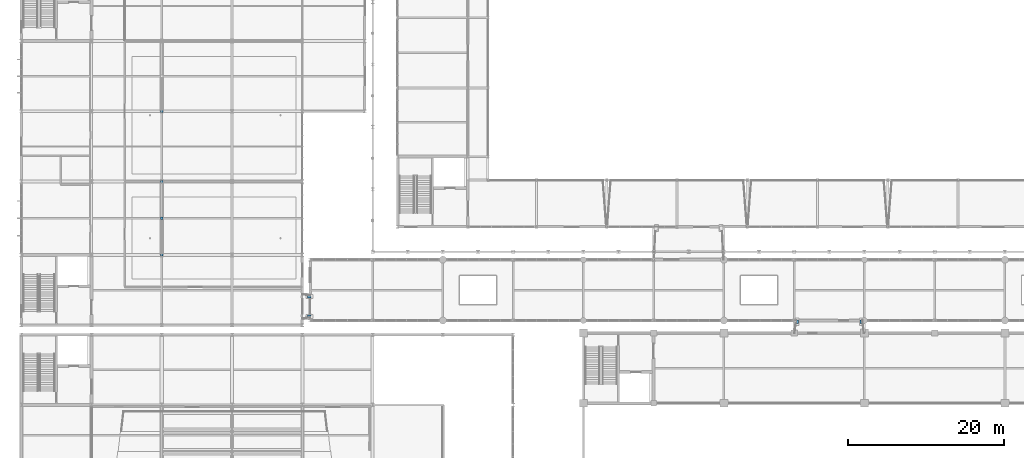
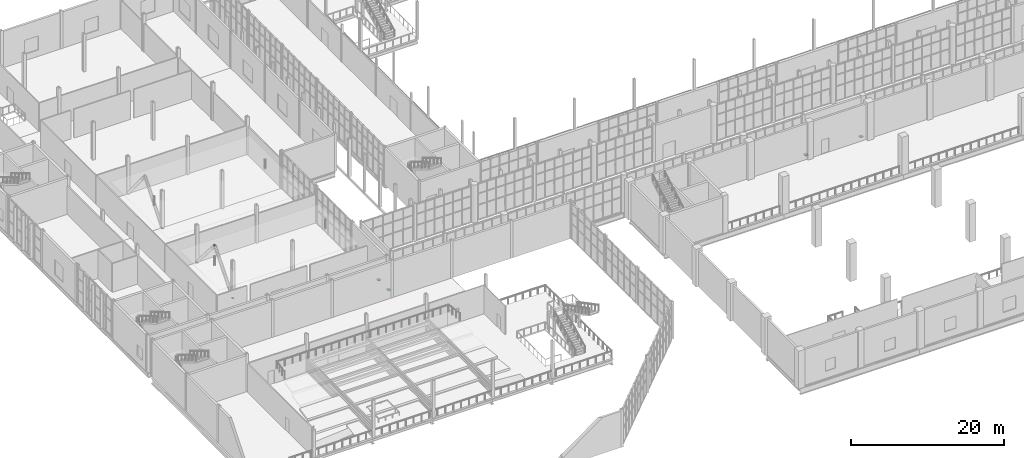
# One storey, part 135 of 159: 8 discrete accessories.
"""IFC4 building model written with IfcOpenShell, lengths in metres."""

from ifc_helpers import new_model, si_unit, direction, frame, origin, origin_2d, place, context, subcontext, project, spatial, rectangle, extrude, material, type_object, element, save


model = new_model("IFC4")

# Units and contexts
model_context = context("Model", 3, precision=1e-05, world=origin(), true_north=direction((0.0, 1.0)))
body_context = subcontext(model_context, "Body", "Model", "MODEL_VIEW")
ifc_project = project(units=[si_unit("LENGTHUNIT", "METRE"), si_unit("AREAUNIT", "SQUARE_METRE"), si_unit("VOLUMEUNIT", "CUBIC_METRE"), si_unit("PLANEANGLEUNIT", "RADIAN"), si_unit("MASSUNIT", "GRAM", prefix="KILO")], contexts=[model_context])

# Site, building, storey
site_placement = place(None, origin())
site = spatial("IfcSite", under=ifc_project, at=site_placement, CompositionType="ELEMENT")
building_placement = place(site_placement, origin())
building = spatial("IfcBuilding", under=site, at=building_placement, Name="Cazmaro Siding Exhibition Halls", CompositionType="ELEMENT")
storey_placement = place(building_placement, frame((0.0, 0.0, 6.0)))
storey = spatial("IfcBuildingStorey", under=building, at=storey_placement, Name="L01", CompositionType="ELEMENT", Elevation=6.0)

# Discrete accessories
ifc_material_1 = material(Name="PTFE Stainless Steel Elastomeric Bearing Assembly", Category="steel")
discrete_accessory_type_1 = type_object("IfcDiscreteAccessoryType", Name="SB-PTFE-01", PredefinedType="USERDEFINED", material=ifc_material_1)
for number, where, z_axis, x_axis, name in (
    (1, (99.35009765625, 55.050048828125, -0.571044921875), (0.0, 0.0, 1.0), (1.0, 0.0, 0.0), "Unguided Bi-Directional PTFE Sliding Bearing SB-03 L01"),
    (2, (107.64990234375, 55.050048828125, -0.571044921875), (0.0, 0.0, 1.0), (1.0, 0.0, 0.0), "Unguided Bi-Directional PTFE Sliding Bearing SB-03 L01"),
    (3, (36.89990234375, 55.699951171875, -0.571044921875), (0.0, 0.0, 1.0), (1.0, 0.0, 0.0), "Unguided Bi-Directional PTFE Sliding Bearing SB-04 L01"),
    (4, (36.89990234375, 58.300048828125, -0.571044921875), (0.0, 0.0, 1.0), (1.0, 0.0, 0.0), "Unguided Bi-Directional PTFE Sliding Bearing SB-04 L01"),
):
    element("IfcDiscreteAccessory", number, at=place(storey_placement, frame(where, z_axis=z_axis, x_axis=x_axis)), inside=storey, type_object=discrete_accessory_type_1, Name=name, ObjectType="SLIDING BEARING", PredefinedType="USERDEFINED", context=body_context, shape_type="SweptSolid", body=[
        extrude(rectangle(XDim=0.449951171875, YDim=0.449951171875, at=origin_2d()), origin(), (0.0, 0.0, 1.0), 0.1201171875),
    ])
ifc_material_2 = material(Name="Steel ASTM A572 Grade 50", Category="steel")
discrete_accessory_type_2 = type_object("IfcDiscreteAccessoryType", Name="GP-CONN-01", PredefinedType="BRACKET", material=ifc_material_2)
for number, where, z_axis, x_axis, name in (
    (5, (18.0, 63.60009765625, -0.01513671875), (0.0, 0.0, 1.0), (1.0, 0.0, 0.0), "Welded Steel Brace Node Gusset Connection GP-01 0025"),
    (6, (18.0, 68.300048828125, 5.4970703125), (0.0, 0.0, 1.0), (1.0, 0.0, 0.0), "Welded Steel Brace Node Gusset Connection GP-01 0029"),
    (7, (18.0, 73.0, -0.01513671875), (0.0, 0.0, 1.0), (1.0, 0.0, 0.0), "Welded Steel Brace Node Gusset Connection GP-01 0033"),
    (8, (18.0, 82.0, -0.01513671875), (0.0, 0.0, 1.0), (1.0, 0.0, 0.0), "Welded Steel Brace Node Gusset Connection GP-01 0037"),
):
    element("IfcDiscreteAccessory", number, at=place(storey_placement, frame(where, z_axis=z_axis, x_axis=x_axis)), inside=storey, type_object=discrete_accessory_type_2, Name=name, PredefinedType="BRACKET", context=body_context, shape_type="SweptSolid", body=[
        extrude(rectangle(XDim=0.320068359375, YDim=0.320068359375, at=origin_2d()), origin(), (0.0, 0.0, 1.0), 0.030029296875),
    ])

save(model, "model.ifc")
